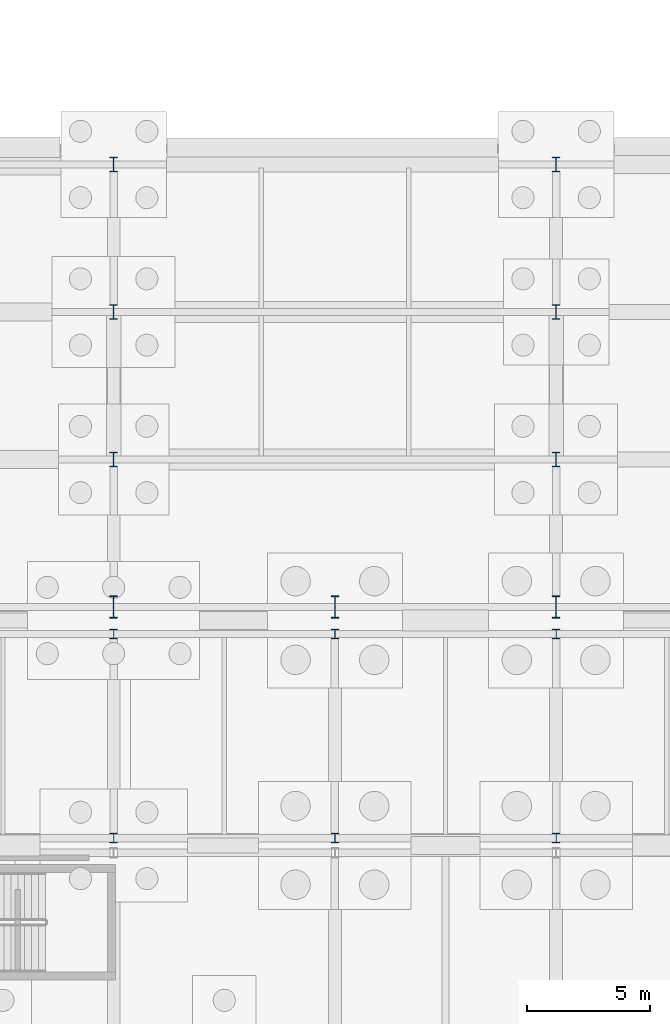
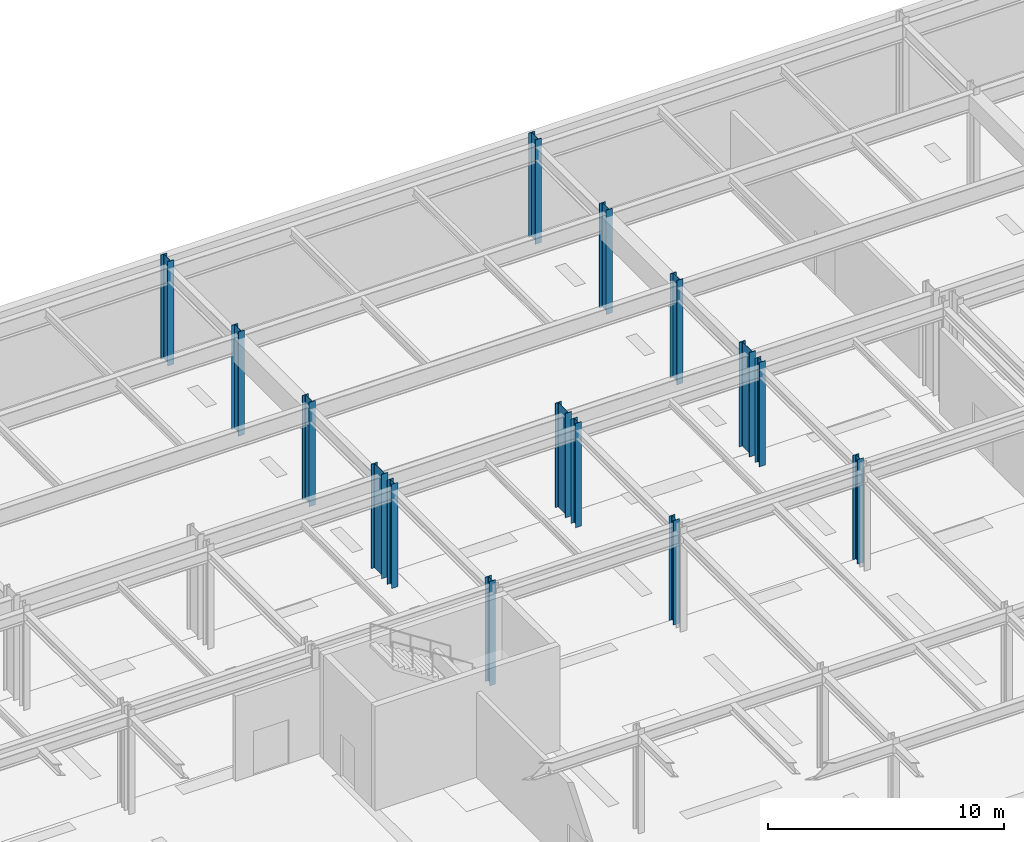
# One storey, part 16 of 65: 15 columns.
"""IFC4 building model written with IfcOpenShell, lengths in metres."""

from ifc_helpers import new_model, si_unit, direction, frame, origin, origin_2d, place, context, subcontext, project, spatial, i_section, extrude, material, material_profile, profile_set, type_object, element, save


model = new_model("IFC4")

# Units and contexts
model_context = context("Model", 3, precision=1e-05, world=origin(), true_north=direction((0.0, 1.0)))
body_context = subcontext(model_context, "Body", "Model", "MODEL_VIEW")
ifc_project = project(units=[si_unit("LENGTHUNIT", "METRE"), si_unit("AREAUNIT", "SQUARE_METRE"), si_unit("VOLUMEUNIT", "CUBIC_METRE"), si_unit("PLANEANGLEUNIT", "RADIAN"), si_unit("MASSUNIT", "GRAM", prefix="KILO")], contexts=[model_context])

# Site, building, storey
site_placement = place(None, origin())
site = spatial("IfcSite", under=ifc_project, at=site_placement, CompositionType="ELEMENT")
building_placement = place(site_placement, origin())
building = spatial("IfcBuilding", under=site, at=building_placement, Name="Kaldris Quays Convention Centre", CompositionType="ELEMENT")
storey_placement = place(building_placement, frame((0.0, 0.0, -5.39990234375)))
storey = spatial("IfcBuildingStorey", under=building, at=storey_placement, Name="B1", CompositionType="ELEMENT", Elevation=-5.39990234375)

# Columns
ifc_material = material(Name="Steel S355J2", Category="steel")
ifc_material_profile_1 = material_profile(ifc_material, i_section(OverallWidth=0.300048828125, OverallDepth=0.89990234375, WebThickness=0.0185546875, FlangeThickness=0.034912109375, FilletRadius=0.030029296875, at=origin_2d()), Name="HEB 900")
ifc_profile_set_1 = profile_set([ifc_material_profile_1], Name="Steel S355J2")
column_type_1 = type_object("IfcColumnType", Name="STRUCTURAL COLUMN CL03", PredefinedType="COLUMN", material=ifc_profile_set_1)
for number, where, z_axis, x_axis, name in (
    (1, (56.0, 56.0, 0.0), (0.0, 0.0, 1.0), (1.0, 0.0, 0.0), "B1 V1 Column CL03 (56.00, 56.00)"),
    (2, (65.0, 56.0, 0.0), (0.0, 0.0, 1.0), (1.0, 0.0, 0.0), "B1 V1 Column CL03 (65.00, 56.00)"),
    (3, (74.0, 56.0, 0.0), (0.0, 0.0, 1.0), (1.0, 0.0, 0.0), "B1 V1 Column CL03 (74.00, 56.00)"),
):
    element("IfcColumn", number, at=place(storey_placement, frame(where, z_axis=z_axis, x_axis=x_axis)), inside=storey, type_object=column_type_1, Name=name, PredefinedType="COLUMN", context=body_context, shape_type="SweptSolid", body=[
        extrude(i_section(OverallWidth=0.300048828125, OverallDepth=0.89990234375, WebThickness=0.0185546875, FlangeThickness=0.034912109375, FilletRadius=0.030029296875, at=origin_2d()), origin(), (0.0, 0.0, 1.0), 5.39990234375),
    ])
ifc_material_profile_2 = material_profile(ifc_material, i_section(OverallWidth=0.300048828125, OverallDepth=0.60009765625, WebThickness=0.015380859375, FlangeThickness=0.030029296875, FilletRadius=0.027099609375, at=origin_2d()), Name="HEB 600")
ifc_profile_set_2 = profile_set([ifc_material_profile_2], Name="Steel S355J2")
column_type_2 = type_object("IfcColumnType", Name="STRUCTURAL COLUMN CL06", PredefinedType="COLUMN", material=ifc_profile_set_2)
for number, where, z_axis, x_axis, name in (
    (4, (56.0, 62.0, 0.0), (0.0, 0.0, 1.0), (1.0, 0.0, 0.0), "B1 V1 Column CL06 (56.00, 62.00)"),
    (5, (56.0, 68.0, 0.0), (0.0, 0.0, 1.0), (1.0, 0.0, 0.0), "B1 V1 Column CL06 (56.00, 68.00)"),
    (6, (56.0, 74.0, 0.0), (0.0, 0.0, 1.0), (1.0, 0.0, 0.0), "B1 V1 Column CL06 (56.00, 74.00)"),
    (7, (74.0, 62.0, 0.0), (0.0, 0.0, 1.0), (1.0, 0.0, 0.0), "B1 V1 Column CL06 (74.00, 62.00)"),
    (8, (74.0, 68.0, 0.0), (0.0, 0.0, 1.0), (1.0, 0.0, 0.0), "B1 V1 Column CL06 (74.00, 68.00)"),
    (9, (74.0, 74.0, 0.0), (0.0, 0.0, 1.0), (1.0, 0.0, 0.0), "B1 V1 Column CL06 (74.00, 74.00)"),
):
    element("IfcColumn", number, at=place(storey_placement, frame(where, z_axis=z_axis, x_axis=x_axis)), inside=storey, type_object=column_type_2, Name=name, PredefinedType="COLUMN", context=body_context, shape_type="SweptSolid", body=[
        extrude(i_section(OverallWidth=0.300048828125, OverallDepth=0.60009765625, WebThickness=0.015380859375, FlangeThickness=0.030029296875, FilletRadius=0.027099609375, at=origin_2d()), origin(), (0.0, 0.0, 1.0), 5.39990234375),
    ])
ifc_material_profile_3 = material_profile(ifc_material, i_section(OverallWidth=0.300048828125, OverallDepth=0.389892578125, WebThickness=0.010986328125, FlangeThickness=0.01904296875, FilletRadius=0.027099609375, at=origin_2d()), Name="HEA 400")
ifc_profile_set_3 = profile_set([ifc_material_profile_3], Name="Steel S355J2")
column_type_3 = type_object("IfcColumnType", Name="STRUCTURAL COLUMN CL12", PredefinedType="COLUMN", material=ifc_profile_set_3)
for number, where, z_axis, x_axis, name in (
    (10, (56.0, 46.60009765625, 0.0), (0.0, 0.0, 1.0), (1.0, 0.0, 0.0), "B1 V4 Column CL12 (56.00, 46.60)"),
    (11, (56.0, 54.89990234375, 0.0), (0.0, 0.0, 1.0), (1.0, 0.0, 0.0), "B1 V4 Column CL12 (56.00, 54.90)"),
    (12, (65.0, 46.60009765625, 0.0), (0.0, 0.0, 1.0), (1.0, 0.0, 0.0), "B1 V4 Column CL12 (65.00, 46.60)"),
    (13, (65.0, 54.89990234375, 0.0), (0.0, 0.0, 1.0), (1.0, 0.0, 0.0), "B1 V4 Column CL12 (65.00, 54.90)"),
    (14, (74.0, 46.60009765625, 0.0), (0.0, 0.0, 1.0), (1.0, 0.0, 0.0), "B1 V4 Column CL12 (74.00, 46.60)"),
    (15, (74.0, 54.89990234375, 0.0), (0.0, 0.0, 1.0), (1.0, 0.0, 0.0), "B1 V4 Column CL12 (74.00, 54.90)"),
):
    element("IfcColumn", number, at=place(storey_placement, frame(where, z_axis=z_axis, x_axis=x_axis)), inside=storey, type_object=column_type_3, Name=name, PredefinedType="COLUMN", context=body_context, shape_type="SweptSolid", body=[
        extrude(i_section(OverallWidth=0.300048828125, OverallDepth=0.389892578125, WebThickness=0.010986328125, FlangeThickness=0.01904296875, FilletRadius=0.027099609375, at=origin_2d()), origin(), (0.0, 0.0, 1.0), 5.39990234375),
    ])

save(model, "model.ifc")
